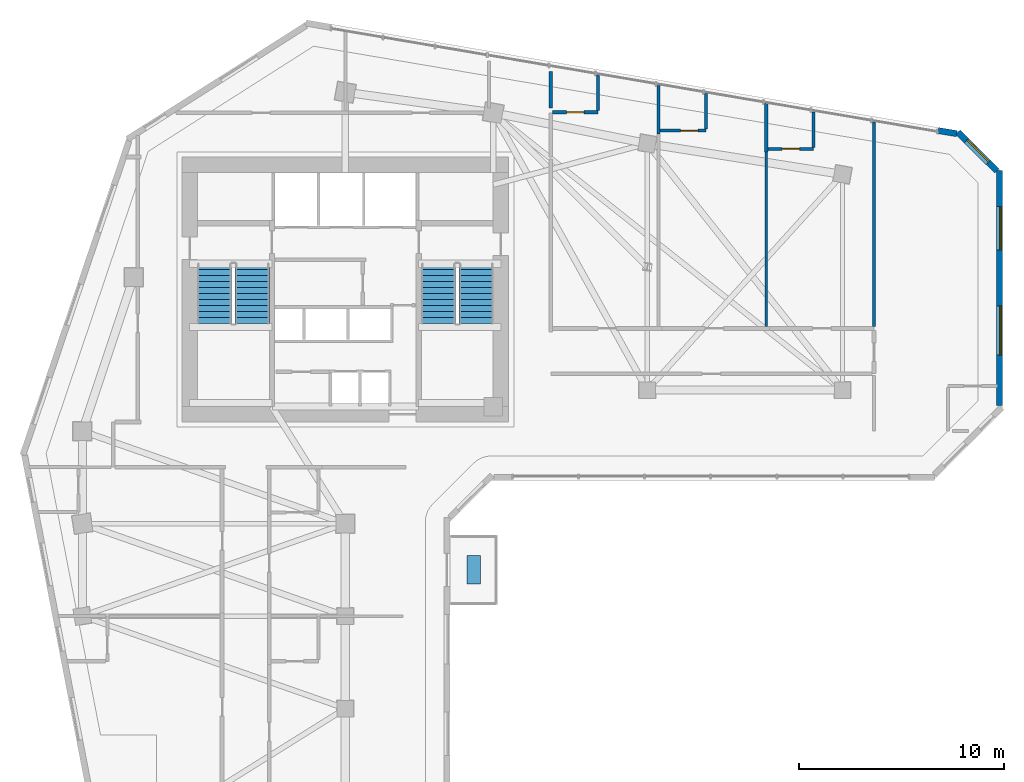
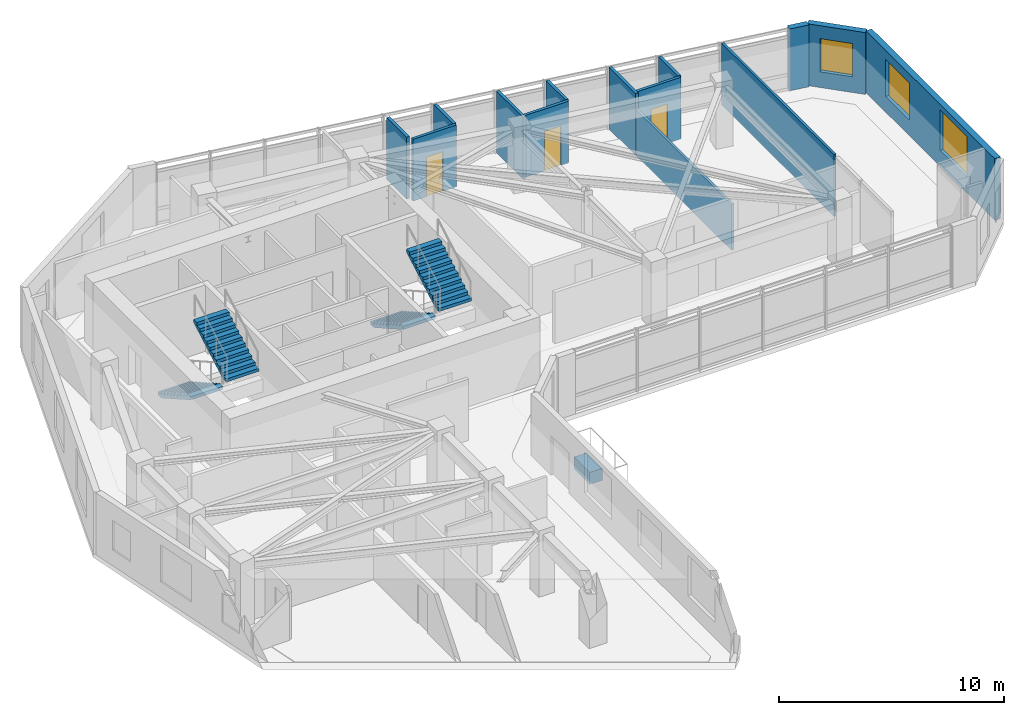
# One storey, part 7 of 10: 14 walls, 4 stair flights, 3 doors, 3 windows, 1 discrete accessory, 6 openings, 2 elements without a shape of their own.
"""IFC4 building model written with IfcOpenShell, lengths in metres."""

from ifc_helpers import new_model, si_unit, direction, frame, frame_2d, origin, origin_2d, place, context, subcontext, project, spatial, polyline, rectangle, outline, extrude, source, transform, mapped, material, layer, layer_set, type_object, element, fill, aggregate, save


model = new_model("IFC4")

# Units and contexts
model_context = context("Model", 3, precision=1e-05, world=origin(), true_north=direction((0.0, 1.0)))
body_context = subcontext(model_context, "Body", "Model", "MODEL_VIEW")
ifc_project = project(units=[si_unit("LENGTHUNIT", "METRE"), si_unit("AREAUNIT", "SQUARE_METRE"), si_unit("VOLUMEUNIT", "CUBIC_METRE"), si_unit("PLANEANGLEUNIT", "RADIAN"), si_unit("MASSUNIT", "GRAM", prefix="KILO")], contexts=[model_context])

# Site, building, storey
site_placement = place(None, origin())
site = spatial("IfcSite", under=ifc_project, at=site_placement, CompositionType="ELEMENT")
building_placement = place(site_placement, origin())
building = spatial("IfcBuilding", under=site, at=building_placement, Name="Calvemar Wedge Station Tower", CompositionType="ELEMENT")
storey_placement = place(building_placement, frame((0.0, 0.0, 110.60009765625)))
storey = spatial("IfcBuildingStorey", under=building, at=storey_placement, Name="L26", CompositionType="ELEMENT", Elevation=110.60009765625)

# Wall, openings, windows
ifc_material_1 = material(Name="Precast concrete C45", Category="concrete")
ifc_layer_1 = layer(ifc_material_1, 0.300048828125)
ifc_layer_set_1 = layer_set([ifc_layer_1], Name="Precast concrete C45")
wall_type_1 = type_object("IfcWallType", Name="W-EXT-GFRC-300", PredefinedType="SOLIDWALL", material=ifc_layer_set_1)
wall_1_placement = place(storey_placement, frame((55.64990234375, 34.249267578125, 0.0), z_axis=(0.0, 0.0, 1.0), x_axis=(0.0, 1.0, 0.0)))
wall_1 = element("IfcWall", 1, at=wall_1_placement, inside=storey, type_object=wall_type_1, Name="Storey L26 Bronze GFRC Exterior Wall 8", PredefinedType="SOLIDWALL", context=body_context, shape_type="SweptSolid", body=[
    extrude(rectangle(XDim=11.4306640625, YDim=0.300048828125, at=frame_2d((5.71533203125, 0.0))), origin(), (0.0, 0.0, 1.0), 3.349853515625),
])
shared_shape_1 = source(origin(), body_context, "Body", "SweptSolid", [
    extrude(rectangle(XDim=2.39990234375, YDim=2.199951171875, at=frame_2d((1.199951171875, 1.10009765625))), frame((0.0, 0.16015625, 0.0), z_axis=(0.0, -1.0, 0.0), x_axis=(1.0, 0.0, 0.0)), (0.0, 0.0, 1.0), 0.320068359375),
])
opening_1_placement = place(wall_1_placement, frame((2.4560546875, 0.0, 0.85009765625)))
opening_1 = element("IfcOpeningElement", 2, at=opening_1_placement, cuts=wall_1, Name="Opening W1", PredefinedType="OPENING", context=body_context, shape_type="MappedRepresentation", body=[
    mapped(shared_shape_1, transform((0.0, 0.0, 0.0), scale=1.0)),
])
shared_shape_2 = source(origin(), body_context, "Body", "SweptSolid", [
    extrude(rectangle(XDim=2.10009765625, YDim=2.0, at=frame_2d((1.050048828125, 1.0))), frame((0.0, 0.16015625, 0.0), z_axis=(0.0, -1.0, 0.0), x_axis=(1.0, 0.0, 0.0)), (0.0, 0.0, 1.0), 0.320068359375),
])
opening_2_placement = place(wall_1_placement, frame((7.575927734375, 0.0, 0.85009765625)))
opening_2 = element("IfcOpeningElement", 3, at=opening_2_placement, cuts=wall_1, Name="Opening W4", PredefinedType="OPENING", context=body_context, shape_type="MappedRepresentation", body=[
    mapped(shared_shape_2, transform((0.0, 0.0, 0.0), scale=1.0)),
])
ifc_material_2 = material(Name="Low-E laminated insulated glass", Category="glass")
window_type_1 = type_object("IfcWindowType", Name="WIN-EXT-4", PartitioningType="SINGLE_PANEL", PredefinedType="WINDOW", material=ifc_material_2)
shared_shape_3 = source(origin(), body_context, "Body", "SweptSolid", [
    extrude(rectangle(XDim=2.10009765625, YDim=2.0, at=frame_2d((1.050048828125, 1.0))), frame((0.0, -0.014892578125, 0.0), z_axis=(0.0, -1.0, 0.0), x_axis=(1.0, 0.0, 0.0)), (0.0, 0.0, 1.0), 0.06005859375),
])
window_1_placement = place(opening_2_placement, origin())
window_1 = element("IfcWindow", 4, at=window_1_placement, inside=storey, type_object=window_type_1, Name="Storey L26 Recessed Window 8.2", OverallHeight=2.0, OverallWidth=2.10009765625, PartitioningType="SINGLE_PANEL", PredefinedType="WINDOW", context=body_context, shape_type="MappedRepresentation", body=[
    mapped(shared_shape_3, transform((0.0, 0.0, 0.0), scale=1.0)),
])
fill(opening_2, window_1)
window_type_2 = type_object("IfcWindowType", Name="WIN-EXT-1", PartitioningType="SINGLE_PANEL", PredefinedType="WINDOW", material=ifc_material_2)
shared_shape_4 = source(origin(), body_context, "Body", "SweptSolid", [
    extrude(rectangle(XDim=2.39990234375, YDim=2.199951171875, at=frame_2d((1.199951171875, 1.10009765625))), frame((0.0, -0.014892578125, 0.0), z_axis=(0.0, -1.0, 0.0), x_axis=(1.0, 0.0, 0.0)), (0.0, 0.0, 1.0), 0.06005859375),
])
window_2_placement = place(opening_1_placement, origin())
window_2 = element("IfcWindow", 5, at=window_2_placement, inside=storey, type_object=window_type_2, Name="Storey L26 Recessed Window 8.1", OverallHeight=2.199951171875, OverallWidth=2.39990234375, PartitioningType="SINGLE_PANEL", PredefinedType="WINDOW", context=body_context, shape_type="MappedRepresentation", body=[
    mapped(shared_shape_4, transform((0.0, 0.0, 0.0), scale=1.0)),
])
fill(opening_1, window_2)

# Wall, opening, window
wall_2_placement = place(storey_placement, frame((55.511962890625, 45.66796875, 0.0), z_axis=(0.0, 0.0, 1.0), x_axis=(-0.707152443695, 0.707061115729, 0.0)))
wall_2 = element("IfcWall", 6, at=wall_2_placement, inside=storey, type_object=wall_type_1, Name="Storey L26 Bronze GFRC Exterior Wall 9", PredefinedType="SOLIDWALL", context=body_context, shape_type="SweptSolid", body=[
    extrude(rectangle(XDim=2.67333984375, YDim=0.300048828125, at=frame_2d((1.336669921875, 0.0))), origin(), (0.0, 0.0, 1.0), 3.349853515625),
])
shared_shape_5 = source(origin(), body_context, "Body", "SweptSolid", [
    extrude(rectangle(XDim=1.5, YDim=1.800048828125, at=frame_2d((0.75, 0.89990234375))), frame((0.0, 0.16015625, 0.0), z_axis=(0.0, -1.0, 0.0), x_axis=(1.0, 0.0, 0.0)), (0.0, 0.0, 1.0), 0.320068359375),
])
opening_3_placement = place(wall_2_placement, frame((0.5869140625, 0.0, 0.85009765625)))
opening_3 = element("IfcOpeningElement", 7, at=opening_3_placement, cuts=wall_2, Name="Opening W3", PredefinedType="OPENING", context=body_context, shape_type="MappedRepresentation", body=[
    mapped(shared_shape_5, transform((0.0, 0.0, 0.0), scale=1.0)),
])
window_type_3 = type_object("IfcWindowType", Name="WIN-EXT-3", PartitioningType="SINGLE_PANEL", PredefinedType="WINDOW", material=ifc_material_2)
shared_shape_6 = source(origin(), body_context, "Body", "SweptSolid", [
    extrude(rectangle(XDim=1.5, YDim=1.800048828125, at=frame_2d((0.75, 0.89990234375))), frame((0.0, -0.014892578125, 0.0), z_axis=(0.0, -1.0, 0.0), x_axis=(1.0, 0.0, 0.0)), (0.0, 0.0, 1.0), 0.06005859375),
])
window_3_placement = place(opening_3_placement, origin())
window_3 = element("IfcWindow", 8, at=window_3_placement, inside=storey, type_object=window_type_3, Name="Storey L26 Recessed Window 9.1", OverallHeight=1.800048828125, OverallWidth=1.5, PartitioningType="SINGLE_PANEL", PredefinedType="WINDOW", context=body_context, shape_type="MappedRepresentation", body=[
    mapped(shared_shape_6, transform((0.0, 0.0, 0.0), scale=1.0)),
])
fill(opening_3, window_3)

# Walls
wall_3_placement = place(storey_placement, frame((53.56103515625, 47.48046875, 0.0), z_axis=(0.0, 0.0, 1.0), x_axis=(-0.985836300899, 0.167710428506, 0.0)))
element("IfcWall", 9, at=wall_3_placement, inside=storey, type_object=wall_type_1, Name="Storey L26 Bronze GFRC Corner Pier 10A", PredefinedType="SOLIDWALL", context=body_context, shape_type="SweptSolid", body=[
    extrude(rectangle(XDim=0.908447265625, YDim=0.300048828125, at=frame_2d((0.4541015625, 0.0))), origin(), (0.0, 0.0, 1.0), 3.349853515625),
])
ifc_material_3 = material(Name="Insulated acoustic gypsum stud partition")
ifc_layer_2 = layer(ifc_material_3, 0.125)
ifc_layer_set_2 = layer_set([ifc_layer_2], Name="Insulated acoustic gypsum stud partition")
wall_type_2 = type_object("IfcWallType", Name="W-PART-125", PredefinedType="PARTITIONING", material=ifc_layer_set_2)
wall_4_placement = place(storey_placement, frame((44.2900390625, 46.57861328125, 0.0), z_axis=(0.0, 0.0, 1.0), x_axis=(0.0, -1.0, 0.0)))
element("IfcWall", 10, at=wall_4_placement, inside=storey, type_object=wall_type_2, Name="Storey L26 Interior Partition WL-L26-031", PredefinedType="PARTITIONING", context=body_context, shape_type="SweptSolid", body=[
    extrude(rectangle(XDim=8.484619140625, YDim=0.125, at=frame_2d((4.2421875, 0.0))), origin(), (0.0, 0.0, 1.0), 2.491943359375),
])
wall_5_placement = place(storey_placement, frame((49.534912109375, 48.048583984375, 0.0), z_axis=(0.0, 0.0, 1.0), x_axis=(0.0, -1.0, 0.0)))
element("IfcWall", 11, at=wall_5_placement, inside=storey, type_object=wall_type_2, Name="Storey L26 Interior Partition WL-L26-034", PredefinedType="PARTITIONING", context=body_context, shape_type="SweptSolid", body=[
    extrude(rectangle(XDim=9.95458984375, YDim=0.125, at=frame_2d((4.977294921875, 0.0))), origin(), (0.0, 0.0, 1.0), 3.349853515625),
])

# Wall, opening, door
ifc_material_4 = material(Name="Moisture-resistant acoustic bathroom partition")
ifc_layer_3 = layer(ifc_material_4, 0.14990234375)
ifc_layer_set_3 = layer_set([ifc_layer_3], Name="Moisture-resistant acoustic bathroom partition")
wall_type_3 = type_object("IfcWallType", Name="W-WET-150", PredefinedType="PARTITIONING", material=ifc_layer_set_3)
wall_6_placement = place(storey_placement, frame((36.10791015625, 48.5244140625, 0.0), z_axis=(0.0, 0.0, 1.0), x_axis=(-1.0, 0.0, 0.0)))
wall_6 = element("IfcWall", 12, at=wall_6_placement, inside=storey, type_object=wall_type_3, Name="Storey L26 Interior Partition WL-L26-024", PredefinedType="PARTITIONING", context=body_context, shape_type="SweptSolid", body=[
    extrude(rectangle(XDim=2.2138671875, YDim=0.14990234375, at=frame_2d((1.10693359375, 0.0))), origin(), (0.0, 0.0, 1.0), 3.349853515625),
])
shared_shape_7 = source(origin(), body_context, "Body", "SweptSolid", [
    extrude(rectangle(XDim=0.85009765625, YDim=2.14990234375, at=frame_2d((0.425048828125, 1.074951171875))), frame((0.0, 0.0849609375, 0.0), z_axis=(0.0, -1.0, 0.0), x_axis=(1.0, 0.0, 0.0)), (0.0, 0.0, 1.0), 0.169921875),
])
opening_4_placement = place(wall_6_placement, frame((0.681884765625, 0.0, 0.0)))
opening_4 = element("IfcOpeningElement", 13, at=opening_4_placement, cuts=wall_6, Name="Opening D-02", PredefinedType="OPENING", context=body_context, shape_type="MappedRepresentation", body=[
    mapped(shared_shape_7, transform((0.0, 0.0, 0.0), scale=1.0)),
])
ifc_material_5 = material(Name="Moisture-sealed bathroom hardwood swing door", Category="wood")
door_type = type_object("IfcDoorType", Name="DR-WET-850", OperationType="NOTDEFINED", PredefinedType="DOOR", material=ifc_material_5)
shared_shape_8 = source(origin(), body_context, "Body", "SweptSolid", [
    extrude(rectangle(XDim=0.85009765625, YDim=2.14990234375, at=frame_2d((0.425048828125, 1.074951171875))), frame((0.0, 0.02490234375, 0.0), z_axis=(0.0, -1.0, 0.0), x_axis=(1.0, 0.0, 0.0)), (0.0, 0.0, 1.0), 0.050048828125),
])
door_1_placement = place(opening_4_placement, origin())
door_1 = element("IfcDoor", 14, at=door_1_placement, inside=storey, type_object=door_type, Name="L26 En-Suite Bathroom Door", OperationType="SINGLE_SWING_LEFT", OverallHeight=2.14990234375, OverallWidth=0.85009765625, PredefinedType="DOOR", context=body_context, shape_type="MappedRepresentation", body=[
    mapped(shared_shape_8, transform((0.0, 0.0, 0.0), scale=1.0)),
])
fill(opening_4, door_1)

# Walls
wall_7_placement = place(storey_placement, frame((36.10791015625, 50.331787109375, 0.0), z_axis=(0.0, 0.0, 1.0), x_axis=(0.0, -1.0, 0.0)))
element("IfcWall", 15, at=wall_7_placement, inside=storey, type_object=wall_type_3, Name="Storey L26 Interior Partition WL-L26-025", PredefinedType="PARTITIONING", context=body_context, shape_type="SweptSolid", body=[
    extrude(rectangle(XDim=1.728271484375, YDim=0.14990234375, at=frame_2d((0.8642578125, 0.0))), origin(), (0.0, 0.0, 1.0), 3.349853515625),
])
wall_8_placement = place(storey_placement, frame((39.044921875, 49.83251953125, 0.0), z_axis=(0.0, 0.0, 1.0), x_axis=(0.0, -1.0, 0.0)))
element("IfcWall", 16, at=wall_8_placement, inside=storey, type_object=wall_type_3, Name="Storey L26 Interior Partition WL-L26-026", PredefinedType="PARTITIONING", context=body_context, shape_type="SweptSolid", body=[
    extrude(rectangle(XDim=2.360107421875, YDim=0.14990234375, at=frame_2d((1.18017578125, 0.0))), origin(), (0.0, 0.0, 1.0), 3.349853515625),
])

# Wall, opening, door
wall_9_placement = place(storey_placement, frame((41.35302734375, 47.632568359375, 0.0), z_axis=(0.0, 0.0, 1.0), x_axis=(-1.0, 0.0, 0.0)))
wall_9 = element("IfcWall", 17, at=wall_9_placement, inside=storey, type_object=wall_type_3, Name="Storey L26 Interior Partition WL-L26-028", PredefinedType="PARTITIONING", context=body_context, shape_type="SweptSolid", body=[
    extrude(rectangle(XDim=2.22900390625, YDim=0.14990234375, at=frame_2d((1.114501953125, 0.0))), origin(), (0.0, 0.0, 1.0), 3.349853515625),
])
opening_5_placement = place(wall_9_placement, frame((0.38232421875, 0.0, 0.0)))
opening_5 = element("IfcOpeningElement", 18, at=opening_5_placement, cuts=wall_9, Name="Opening D-02", PredefinedType="OPENING", context=body_context, shape_type="MappedRepresentation", body=[
    mapped(shared_shape_7, transform((0.0, 0.0, 0.0), scale=1.0)),
])
door_2_placement = place(opening_5_placement, origin())
door_2 = element("IfcDoor", 19, at=door_2_placement, inside=storey, type_object=door_type, Name="L26 En-Suite Bathroom Door", OperationType="SINGLE_SWING_LEFT", OverallHeight=2.14990234375, OverallWidth=0.85009765625, PredefinedType="DOOR", context=body_context, shape_type="MappedRepresentation", body=[
    mapped(shared_shape_8, transform((0.0, 0.0, 0.0), scale=1.0)),
])
fill(opening_5, door_2)

# Walls
wall_10_placement = place(storey_placement, frame((41.35302734375, 49.43994140625, 0.0), z_axis=(0.0, 0.0, 1.0), x_axis=(0.0, -1.0, 0.0)))
element("IfcWall", 20, at=wall_10_placement, inside=storey, type_object=wall_type_3, Name="Storey L26 Interior Partition WL-L26-029", PredefinedType="PARTITIONING", context=body_context, shape_type="SweptSolid", body=[
    extrude(rectangle(XDim=1.728515625, YDim=0.14990234375, at=frame_2d((0.8642578125, 0.0))), origin(), (0.0, 0.0, 1.0), 3.349853515625),
])
wall_11_placement = place(storey_placement, frame((44.2900390625, 48.9404296875, 0.0), z_axis=(0.0, 0.0, 1.0), x_axis=(0.0, -1.0, 0.0)))
element("IfcWall", 21, at=wall_11_placement, inside=storey, type_object=wall_type_3, Name="Storey L26 Interior Partition WL-L26-030", PredefinedType="PARTITIONING", context=body_context, shape_type="SweptSolid", body=[
    extrude(rectangle(XDim=2.35986328125, YDim=0.14990234375, at=frame_2d((1.179931640625, 0.0))), origin(), (0.0, 0.0, 1.0), 3.349853515625),
])

# Wall, opening, door
wall_12_placement = place(storey_placement, frame((46.597900390625, 46.740478515625, 0.0), z_axis=(0.0, 0.0, 1.0), x_axis=(-1.0, 0.0, 0.0)))
wall_12 = element("IfcWall", 22, at=wall_12_placement, inside=storey, type_object=wall_type_3, Name="Storey L26 Interior Partition WL-L26-032", PredefinedType="PARTITIONING", context=body_context, shape_type="SweptSolid", body=[
    extrude(rectangle(XDim=2.22900390625, YDim=0.14990234375, at=frame_2d((1.114501953125, 0.0))), origin(), (0.0, 0.0, 1.0), 3.349853515625),
])
opening_6_placement = place(wall_12_placement, frame((0.689453125, 0.0, 0.0)))
opening_6 = element("IfcOpeningElement", 23, at=opening_6_placement, cuts=wall_12, Name="Opening D-02", PredefinedType="OPENING", context=body_context, shape_type="MappedRepresentation", body=[
    mapped(shared_shape_7, transform((0.0, 0.0, 0.0), scale=1.0)),
])
door_3_placement = place(opening_6_placement, origin())
door_3 = element("IfcDoor", 24, at=door_3_placement, inside=storey, type_object=door_type, Name="L26 En-Suite Bathroom Door", OperationType="SINGLE_SWING_LEFT", OverallHeight=2.14990234375, OverallWidth=0.85009765625, PredefinedType="DOOR", context=body_context, shape_type="MappedRepresentation", body=[
    mapped(shared_shape_8, transform((0.0, 0.0, 0.0), scale=1.0)),
])
fill(opening_6, door_3)

# Walls
wall_13_placement = place(storey_placement, frame((46.597900390625, 48.548095703125, 0.0), z_axis=(0.0, 0.0, 1.0), x_axis=(0.0, -1.0, 0.0)))
element("IfcWall", 25, at=wall_13_placement, inside=storey, type_object=wall_type_3, Name="Storey L26 Interior Partition WL-L26-033", PredefinedType="PARTITIONING", context=body_context, shape_type="SweptSolid", body=[
    extrude(rectangle(XDim=1.728515625, YDim=0.14990234375, at=frame_2d((0.8642578125, 0.0))), origin(), (0.0, 0.0, 1.0), 3.349853515625),
])
wall_14_placement = place(storey_placement, frame((33.800048828125, 48.72314453125, 0.0), z_axis=(0.0, 0.0, 1.0), x_axis=(0.0, 1.0, 0.0)))
element("IfcWall", 26, at=wall_14_placement, inside=storey, type_object=wall_type_3, Name="Storey L26 Bathroom Enclosure Wall WL-L26-057", PredefinedType="PARTITIONING", context=body_context, shape_type="SweptSolid", body=[
    extrude(rectangle(XDim=1.778076171875, YDim=0.14990234375, at=frame_2d((0.88916015625, 0.0))), origin(), (0.0, 0.0, 1.0), 3.349853515625),
])

# Stair, stair flights
ifc_material_6 = material(Name="Concrete C45", Category="concrete")
stair_type = type_object("IfcStairType", Name="ST-TYPE-3600", PredefinedType="HALF_TURN_STAIR", material=ifc_material_6)
stair_1_placement = place(storey_placement, origin())
stair_1 = element("IfcStair", 27, at=stair_1_placement, inside=storey, type_object=stair_type, Name="L26 Pressurized Core Exit Stair ST-C1", PredefinedType="HALF_TURN_STAIR")
stair_flight_type = type_object("IfcStairFlightType", Name="STF-TYPE-3600", PredefinedType="STRAIGHT", material=ifc_material_6)
stair_flight_1_placement = place(storey_placement, frame((17.429931640625, 41.14990234375, 0.0), z_axis=(0.0, 0.0, 1.0), x_axis=(0.0, -1.0, 0.0)))
stair_flight_1 = element("IfcStairFlight", 28, at=stair_flight_1_placement, type_object=stair_flight_type, Name="ST-C1 flight 1", NumberOfRisers=11, NumberOfTreads=10, PredefinedType="STRAIGHT", RiserHeight=0.163636364, TreadLength=0.29, context=body_context, shape_type="SweptSolid", body=[
    extrude(outline(polyline([(0.0, 0.0), (0.0, 0.16357421875), (0.2900390625, 0.16357421875), (0.2900390625, 0.327392578125), (0.580078125, 0.327392578125), (0.580078125, 0.490966796875), (0.8701171875, 0.490966796875), (0.8701171875, 0.654541015625), (1.159912109375, 0.654541015625), (1.159912109375, 0.818115234375), (1.449951171875, 0.818115234375), (1.449951171875, 0.98193359375), (1.739990234375, 0.98193359375), (1.739990234375, 1.1455078125), (2.030029296875, 1.1455078125), (2.030029296875, 1.30908203125), (2.320068359375, 1.30908203125), (2.320068359375, 1.47265625), (2.610107421875, 1.47265625), (2.610107421875, 1.636474609375), (2.89990234375, 1.636474609375), (2.89990234375, 1.800048828125), (2.89990234375, 1.46435546875), (0.304931640625, 0.0), (0.0, 0.0)])), frame((0.0, 0.830078125, 0.0), z_axis=(0.0, -1.0, 0.0), x_axis=(1.0, 0.0, 0.0)), (0.0, 0.0, 1.0), 1.659912109375),
])
stair_flight_2_placement = place(storey_placement, frame((19.27001953125, 38.25, 1.7998046875), z_axis=(0.0, 0.0, 1.0), x_axis=(0.0, 1.0, 0.0)))
stair_flight_2 = element("IfcStairFlight", 29, at=stair_flight_2_placement, type_object=stair_flight_type, Name="ST-C1 flight 2", NumberOfRisers=11, NumberOfTreads=10, PredefinedType="STRAIGHT", RiserHeight=0.163636364, TreadLength=0.29, context=body_context, shape_type="SweptSolid", body=[
    extrude(outline(polyline([(0.0, 0.0), (0.0, 0.16357421875), (0.2900390625, 0.16357421875), (0.2900390625, 0.327392578125), (0.580078125, 0.327392578125), (0.580078125, 0.490966796875), (0.8701171875, 0.490966796875), (0.8701171875, 0.654541015625), (1.159912109375, 0.654541015625), (1.159912109375, 0.818115234375), (1.449951171875, 0.818115234375), (1.449951171875, 0.98193359375), (1.739990234375, 0.98193359375), (1.739990234375, 1.1455078125), (2.030029296875, 1.1455078125), (2.030029296875, 1.30908203125), (2.320068359375, 1.30908203125), (2.320068359375, 1.47265625), (2.610107421875, 1.47265625), (2.610107421875, 1.636474609375), (2.89990234375, 1.636474609375), (2.89990234375, 1.800048828125), (2.89990234375, 1.46435546875), (0.304931640625, 0.0), (0.0, 0.0)])), frame((0.0, 0.830078125, 0.0), z_axis=(0.0, -1.0, 0.0), x_axis=(1.0, 0.0, 0.0)), (0.0, 0.0, 1.0), 1.659912109375),
])
aggregate(stair_1, [stair_flight_1, stair_flight_2])

stair_2_placement = place(storey_placement, origin())
stair_2 = element("IfcStair", 30, at=stair_2_placement, inside=storey, type_object=stair_type, Name="L26 Pressurized Core Exit Stair ST-C2", PredefinedType="HALF_TURN_STAIR")
stair_flight_3_placement = place(storey_placement, frame((28.330078125, 41.14990234375, 0.0), z_axis=(0.0, 0.0, 1.0), x_axis=(0.0, -1.0, 0.0)))
stair_flight_3 = element("IfcStairFlight", 31, at=stair_flight_3_placement, type_object=stair_flight_type, Name="ST-C2 flight 1", NumberOfRisers=11, NumberOfTreads=10, PredefinedType="STRAIGHT", RiserHeight=0.163636364, TreadLength=0.29, context=body_context, shape_type="SweptSolid", body=[
    extrude(outline(polyline([(0.0, 0.0), (0.0, 0.16357421875), (0.2900390625, 0.16357421875), (0.2900390625, 0.327392578125), (0.580078125, 0.327392578125), (0.580078125, 0.490966796875), (0.8701171875, 0.490966796875), (0.8701171875, 0.654541015625), (1.159912109375, 0.654541015625), (1.159912109375, 0.818115234375), (1.449951171875, 0.818115234375), (1.449951171875, 0.98193359375), (1.739990234375, 0.98193359375), (1.739990234375, 1.1455078125), (2.030029296875, 1.1455078125), (2.030029296875, 1.30908203125), (2.320068359375, 1.30908203125), (2.320068359375, 1.47265625), (2.610107421875, 1.47265625), (2.610107421875, 1.636474609375), (2.89990234375, 1.636474609375), (2.89990234375, 1.800048828125), (2.89990234375, 1.46435546875), (0.304931640625, 0.0), (0.0, 0.0)])), frame((0.0, 0.830078125, 0.0), z_axis=(0.0, -1.0, 0.0), x_axis=(1.0, 0.0, 0.0)), (0.0, 0.0, 1.0), 1.659912109375),
])
stair_flight_4_placement = place(storey_placement, frame((30.169921875, 38.25, 1.7998046875), z_axis=(0.0, 0.0, 1.0), x_axis=(0.0, 1.0, 0.0)))
stair_flight_4 = element("IfcStairFlight", 32, at=stair_flight_4_placement, type_object=stair_flight_type, Name="ST-C2 flight 2", NumberOfRisers=11, NumberOfTreads=10, PredefinedType="STRAIGHT", RiserHeight=0.163636364, TreadLength=0.29, context=body_context, shape_type="SweptSolid", body=[
    extrude(outline(polyline([(0.0, 0.0), (0.0, 0.16357421875), (0.2900390625, 0.16357421875), (0.2900390625, 0.327392578125), (0.580078125, 0.327392578125), (0.580078125, 0.490966796875), (0.8701171875, 0.490966796875), (0.8701171875, 0.654541015625), (1.159912109375, 0.654541015625), (1.159912109375, 0.818115234375), (1.449951171875, 0.818115234375), (1.449951171875, 0.98193359375), (1.739990234375, 0.98193359375), (1.739990234375, 1.1455078125), (2.030029296875, 1.1455078125), (2.030029296875, 1.30908203125), (2.320068359375, 1.30908203125), (2.320068359375, 1.47265625), (2.610107421875, 1.47265625), (2.610107421875, 1.636474609375), (2.89990234375, 1.636474609375), (2.89990234375, 1.800048828125), (2.89990234375, 1.46435546875), (0.304931640625, 0.0), (0.0, 0.0)])), frame((0.0, 0.830078125, 0.0), z_axis=(0.0, -1.0, 0.0), x_axis=(1.0, 0.0, 0.0)), (0.0, 0.0, 1.0), 1.659912109375),
])
aggregate(stair_2, [stair_flight_3, stair_flight_4])

# Discrete accessory
discrete_accessory_type = type_object("IfcDiscreteAccessoryType", Name="ACC-PLANTER", PredefinedType="USERDEFINED", material=ifc_material_1)
shared_shape_9 = source(origin(), body_context, "Body", "SweptSolid", [
    extrude(rectangle(XDim=0.64990234375, YDim=1.39990234375, at=origin_2d()), origin(), (0.0, 0.0, 1.0), 0.64990234375),
])
discrete_accessory_placement = place(storey_placement, frame((30.0458984375, 26.25, 0.0), z_axis=(0.0, 0.0, 1.0), x_axis=(1.0, 0.0, 0.0)))
element("IfcDiscreteAccessory", 33, at=discrete_accessory_placement, inside=storey, type_object=discrete_accessory_type, Name="Storey L26 Planted Terrace GFRC Planter", ObjectType="PLANTER", PredefinedType="USERDEFINED", context=body_context, shape_type="MappedRepresentation", body=[
    mapped(shared_shape_9, transform((0.0, 0.0, 0.0), scale=1.0)),
])

save(model, "model.ifc")
